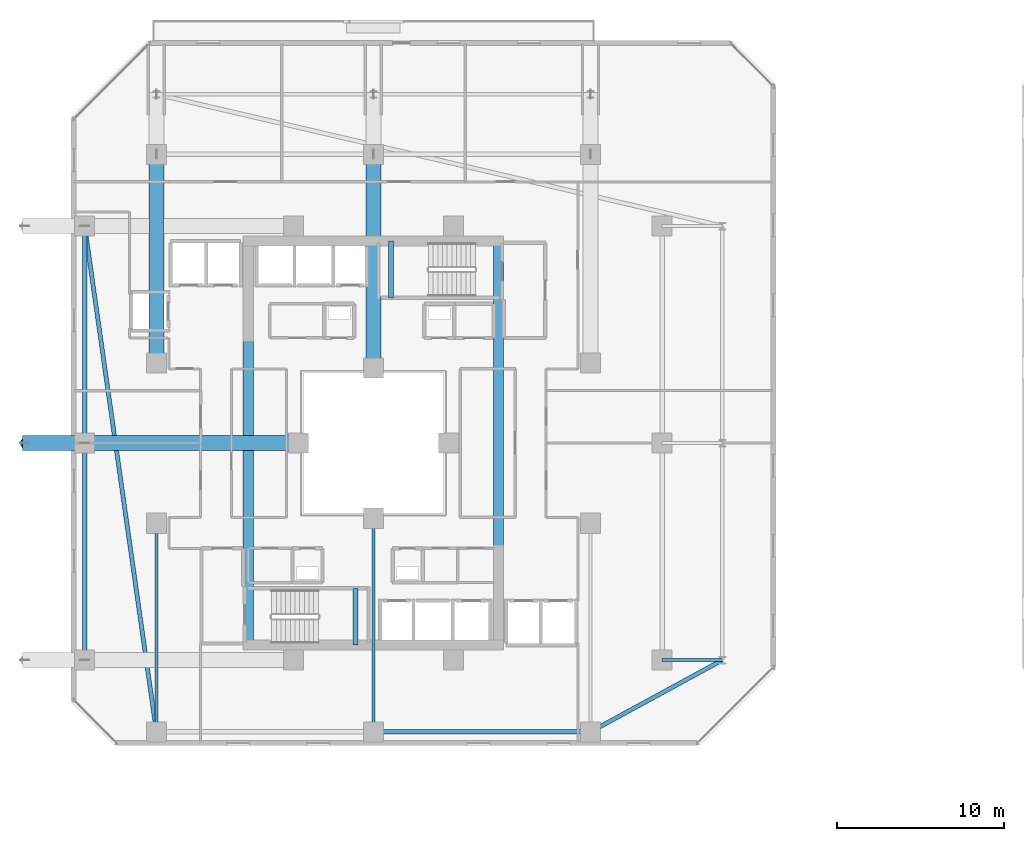
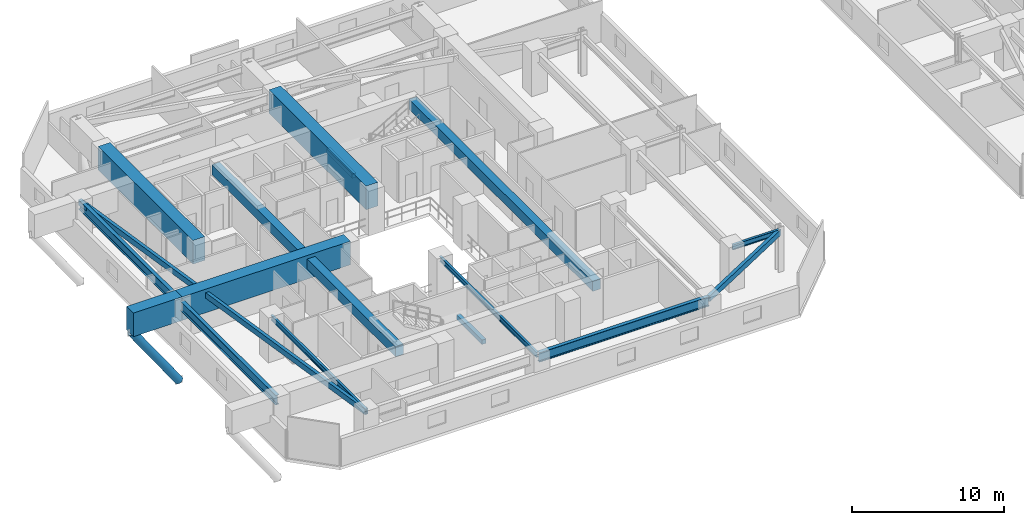
# One storey, part 4 of 36: 16 beams, 1 member.
"""IFC4 building model written with IfcOpenShell, lengths in metres."""

import ifcopenshell
import ifcopenshell.guid

model = None  # the IFC model being written
_history = None  # IfcOwnerHistory: only IFC2X3 demands one
_inside = {}  # id of a spatial element -> (the spatial element, [elements in it])
_under = {}  # id of a project, library or spatial element -> (it, [spatial elements below it])
_declared = {}  # id of a project -> (the project, [libraries it declares])
_typed = {}  # id of a type object -> (the type object, [elements of that type])
_made_of = {}  # id of a material, layer set ... -> (it, [elements and type objects made of it])


def new_model(schema):
    """Start an empty IFC model of exactly this schema.

    Asked for "IFC4X3", IfcOpenShell would pick the latest addendum, in which some entities
    have other attributes; the version numbers below select the first issue.
    IFC2X3 requires an IfcOwnerHistory on every rooted entity: one is made here for all.
    """
    global model, _history
    if schema == "IFC4X3":
        model = ifcopenshell.file(schema_version=(4, 3, 0, 0))
    else:
        model = ifcopenshell.file(schema=schema)
    _inside.clear()
    _under.clear()
    _declared.clear()
    _typed.clear()
    _made_of.clear()
    _history = None
    if model.schema == "IFC2X3":
        org = make("IfcOrganization", Name="unknown")
        user = make(
            "IfcPersonAndOrganization",
            ThePerson=make("IfcPerson", FamilyName="unknown"),
            TheOrganization=org,
        )
        app = make(
            "IfcApplication",
            ApplicationDeveloper=org,
            Version="unknown",
            ApplicationFullName="unknown",
            ApplicationIdentifier="unknown",
        )
        _history = make(
            "IfcOwnerHistory",
            OwningUser=user,
            OwningApplication=app,
            ChangeAction="ADDED",
            CreationDate=0,
        )
    return model


def make(cls, **values):
    """One entity of the class cls with the attributes given. An attribute that is None is left unset."""
    return model.create_entity(
        cls, **{name: value for name, value in values.items() if value is not None}
    )


def rooted(cls, **values):
    """An entity with a GlobalId (a new one), such as an element, a storey or a relation."""
    return make(cls, GlobalId=ifcopenshell.guid.new(), OwnerHistory=_history, **values)


def si_unit(unit_type, name, prefix=None):
    """IfcSIUnit, for example si_unit("LENGTHUNIT", "METRE", prefix="MILLI")."""
    return make("IfcSIUnit", UnitType=unit_type, Prefix=prefix, Name=name)


def assignment(units):
    """IfcUnitAssignment: the units of a project."""
    return None if units is None else make("IfcUnitAssignment", Units=units)


def point(xyz):
    """IfcCartesianPoint."""
    return None if xyz is None else make("IfcCartesianPoint", Coordinates=xyz)


def direction(xyz):
    """IfcDirection."""
    return None if xyz is None else make("IfcDirection", DirectionRatios=xyz)


def frame(location, z_axis=None, x_axis=None):
    """IfcAxis2Placement3D, a coordinate frame: its origin and axes. An axis left out is left unset."""
    return make(
        "IfcAxis2Placement3D",
        Location=point(location),
        Axis=direction(z_axis),
        RefDirection=direction(x_axis),
    )


def frame_2d(location, x_axis=None):
    """IfcAxis2Placement2D, a coordinate frame in the plane: its origin and x axis."""
    return make(
        "IfcAxis2Placement2D", Location=point(location), RefDirection=direction(x_axis)
    )


def origin():
    """The frame at (0, 0, 0) with its axes left unset."""
    return frame((0.0, 0.0, 0.0))


def origin_2d():
    """The frame at (0, 0) in the plane with its x axis left unset."""
    return frame_2d((0.0, 0.0))


def place(relative_to, where):
    """IfcLocalPlacement: puts the frame where relative to a parent placement (None: the world)."""
    return make(
        "IfcLocalPlacement", PlacementRelTo=relative_to, RelativePlacement=where
    )


def context(
    kind, dimensions, precision=None, world=None, true_north=None, identifier=None
):
    """IfcGeometricRepresentationContext, for example the 3D "Model" context."""
    return make(
        "IfcGeometricRepresentationContext",
        ContextIdentifier=identifier,
        ContextType=kind,
        CoordinateSpaceDimension=dimensions,
        Precision=precision,
        WorldCoordinateSystem=world,
        TrueNorth=true_north,
    )


def subcontext(parent, identifier, kind, view, scale=None):
    """IfcGeometricRepresentationSubContext, for example "Body" below "Model"."""
    return make(
        "IfcGeometricRepresentationSubContext",
        ContextIdentifier=identifier,
        ContextType=kind,
        ParentContext=parent,
        TargetScale=scale,
        TargetView=view,
    )


def project(units=None, contexts=None):
    """IfcProject with its units and contexts."""
    return rooted(
        "IfcProject",
        Name="project",
        RepresentationContexts=contexts,
        UnitsInContext=assignment(units),
    )


def spatial(cls, under=None, at=None, **own):
    """A site, building, storey or space (cls), placed at a placement, below another one or the project."""
    s = rooted(cls, ObjectPlacement=at, **own)
    if under is not None:
        _under.setdefault(under.id(), (under, []))[1].append(s)
    return s


def profile(cls, at=None, kind="AREA", **sizes):
    """A parametric profile (cls). Its sizes go by their IFC names, for example OverallWidth=200.0."""
    return make(cls, ProfileType=kind, Position=at, **sizes)


def rectangle(**sizes):
    """IfcRectangleProfileDef."""
    return profile("IfcRectangleProfileDef", **sizes)


def hollow_rectangle(**sizes):
    """IfcRectangleHollowProfileDef."""
    return profile("IfcRectangleHollowProfileDef", **sizes)


def hollow_circle(**sizes):
    """IfcCircleHollowProfileDef."""
    return profile("IfcCircleHollowProfileDef", **sizes)


def i_section(**sizes):
    """IfcIShapeProfileDef."""
    return profile("IfcIShapeProfileDef", **sizes)


def extrude(swept, where, along, depth):
    """IfcExtrudedAreaSolid: the profile swept, set in the frame where, extruded along a direction by depth."""
    return make(
        "IfcExtrudedAreaSolid",
        SweptArea=swept,
        Position=where,
        ExtrudedDirection=direction(along),
        Depth=depth,
    )


def shape(context_of_items, identifier, shape_type, items):
    """IfcShapeRepresentation: the items that make up one representation, for example the "Body"."""
    return make(
        "IfcShapeRepresentation",
        ContextOfItems=context_of_items,
        RepresentationIdentifier=identifier,
        RepresentationType=shape_type,
        Items=items,
    )


def material(Name=None, Category=None):
    """IfcMaterial."""
    return make("IfcMaterial", Name=Name, Category=Category)


def material_profile(
    of_material, cross_section, Name=None, Category=None, Priority=None
):
    """IfcMaterialProfile: a cross section and its material."""
    return make(
        "IfcMaterialProfile",
        Name=Name,
        Material=of_material,
        Profile=cross_section,
        Priority=Priority,
        Category=Category,
    )


def profile_set(profiles, Name=None, composite=None):
    """IfcMaterialProfileSet."""
    return make(
        "IfcMaterialProfileSet",
        Name=Name,
        MaterialProfiles=profiles,
        CompositeProfile=composite,
    )


def made_of(thing, what):
    """Note that an element or type object is made of a material, layer set ...; save() writes the relation."""
    if what is not None:
        _made_of.setdefault(what.id(), (what, []))[1].append(thing)
    return thing


def type_object(cls, material=None, **own):
    """A type object (cls), such as IfcWallType, which elements share."""
    return made_of(rooted(cls, **own), material)


def element(
    cls,
    number,
    at=None,
    inside=None,
    cuts=None,
    type_object=None,
    material=None,
    context=None,
    identifier="Body",
    shape_type=None,
    held_by="IfcProductDefinitionShape",
    body=None,
    shapes=None,
    **own,
):
    """One element of the class cls, such as IfcWall. Its Tag is "e" and its number.

    at: its placement. inside: the storey or other place that contains it. cuts: it is an
    opening in that element (IfcRelVoidsElement). A single representation is given by context,
    identifier, shape_type and body (its items); several are given by shapes. held_by: the class
    of the entity that holds the representations. save() writes the other relations.
    """
    e = rooted(cls, Tag="e%d" % number, ObjectPlacement=at, **own)
    if body is not None:
        shapes = [shape(context, identifier, shape_type, body)]
    if shapes is not None:
        e.Representation = make(held_by, Representations=shapes)
    if inside is not None:
        _inside.setdefault(inside.id(), (inside, []))[1].append(e)
    if cuts is not None:
        rooted(
            "IfcRelVoidsElement", RelatingBuildingElement=cuts, RelatedOpeningElement=e
        )
    if type_object is not None:
        _typed.setdefault(type_object.id(), (type_object, []))[1].append(e)
    return made_of(e, material)


def aggregate(whole, parts):
    """IfcRelAggregates: a whole, such as a stair, and the parts it consists of."""
    return rooted("IfcRelAggregates", RelatingObject=whole, RelatedObjects=parts)


def save(model, path):
    """Write the relations noted so far, then the file.

    IfcRelAggregates (storeys below a building ...), IfcRelContainedInSpatialStructure (elements
    in a storey), IfcRelDefinesByType, IfcRelAssociatesMaterial and IfcRelDeclares: one each for
    every whole, place, type object, material and project.
    """
    for whole, parts in _under.values():
        aggregate(whole, parts)
    for where, things in _inside.values():
        rooted(
            "IfcRelContainedInSpatialStructure",
            RelatedElements=things,
            RelatingStructure=where,
        )
    for kind, things in _typed.values():
        rooted("IfcRelDefinesByType", RelatedObjects=things, RelatingType=kind)
    for what, things in _made_of.values():
        rooted("IfcRelAssociatesMaterial", RelatedObjects=things, RelatingMaterial=what)
    for by, libraries in _declared.values():
        rooted("IfcRelDeclares", RelatingContext=by, RelatedDefinitions=libraries)
    model.write(path)


model = new_model("IFC4")

# Units and contexts
model_context = context("Model", 3, precision=1e-05, world=origin(), true_north=direction((0.0, 1.0)))
body_context = subcontext(model_context, "Body", "Model", "MODEL_VIEW")
ifc_project = project(units=[si_unit("LENGTHUNIT", "METRE"), si_unit("AREAUNIT", "SQUARE_METRE"), si_unit("VOLUMEUNIT", "CUBIC_METRE"), si_unit("PLANEANGLEUNIT", "RADIAN"), si_unit("MASSUNIT", "GRAM", prefix="KILO")], contexts=[model_context])

# Site, building, storey
site_placement = place(None, origin())
site = spatial("IfcSite", under=ifc_project, at=site_placement, CompositionType="ELEMENT")
building_placement = place(site_placement, origin())
building = spatial("IfcBuilding", under=site, at=building_placement, Name="Thornwick Lancets Civic Towers", CompositionType="ELEMENT")
storey_placement = place(building_placement, frame((0.0, 0.0, 94.5)))
storey = spatial("IfcBuildingStorey", under=building, at=storey_placement, Name="L24", CompositionType="ELEMENT", Elevation=94.5)

# Beams
ifc_material_1 = material(Name="Concrete C60/75", Category="concrete")
ifc_material_profile_1 = material_profile(ifc_material_1, rectangle(XDim=0.60009765625, YDim=0.800048828125, at=origin_2d()), Name="RC 600x800")
ifc_profile_set_1 = profile_set([ifc_material_profile_1], Name="Concrete C60/75")
beam_type_1 = type_object("IfcBeamType", Name="BM_COUP_RC800", PredefinedType="BEAM", material=ifc_profile_set_1)
for number, where, z_axis, x_axis, name in (
    (1, (33.0, 14.89990234375, 2.919921875), (0.0, 1.0, 0.0), (-1.0, 0.0, 0.0), "CB-L24-A1"),
    (2, (18.0, 14.89990234375, 2.919921875), (0.0, 1.0, 0.0), (-1.0, 0.0, 0.0), "CB-L24-A2"),
):
    element("IfcBeam", number, at=place(storey_placement, frame(where, z_axis=z_axis, x_axis=x_axis)), inside=storey, type_object=beam_type_1, Name=name, PredefinedType="BEAM", context=body_context, shape_type="SweptSolid", body=[
        extrude(rectangle(XDim=0.60009765625, YDim=0.800048828125, at=origin_2d()), origin(), (0.0, 0.0, 1.0), 24.2001953125),
    ])
ifc_material_2 = material(Name="Steel S355JR", Category="steel")
ifc_material_profile_2 = material_profile(ifc_material_2, i_section(OverallWidth=0.26806640625, OverallDepth=0.769775390625, WebThickness=0.015625, FlangeThickness=0.025390625, FilletRadius=0.0166015625, at=origin_2d()), Name="UKB 762x267x197")
ifc_profile_set_2 = profile_set([ifc_material_profile_2], Name="Steel S355JR")
beam_type_2 = type_object("IfcBeamType", Name="BM_GIRD_762_197", PredefinedType="BEAM", material=ifc_profile_set_2)
beam_1_placement = place(storey_placement, frame((25.580078125, 9.699951171875, 2.93505859375), z_axis=(1.0, 0.0, 0.0), x_axis=(0.0, 1.0, 0.0)))
element("IfcBeam", 3, at=beam_1_placement, inside=storey, type_object=beam_type_2, Name="BM-SPINE-L24-A-1-2", PredefinedType="BEAM", context=body_context, shape_type="SweptSolid", body=[
    extrude(i_section(OverallWidth=0.26806640625, OverallDepth=0.769775390625, WebThickness=0.015625, FlangeThickness=0.025390625, FilletRadius=0.0166015625, at=origin_2d()), origin(), (0.0, 0.0, 1.0), 12.919921875),
])
beam_2_placement = place(storey_placement, frame((8.199951171875, 14.0, 2.93505859375), z_axis=(0.0, 1.0, 0.0), x_axis=(-1.0, 0.0, 0.0)))
element("IfcBeam", 4, at=beam_2_placement, inside=storey, type_object=beam_type_2, Name="BM-SPINE-L24-A-9-10", PredefinedType="BEAM", context=body_context, shape_type="SweptSolid", body=[
    extrude(i_section(OverallWidth=0.26806640625, OverallDepth=0.769775390625, WebThickness=0.015625, FlangeThickness=0.025390625, FilletRadius=0.0166015625, at=origin_2d()), origin(), (0.0, 0.0, 1.0), 13.0),
])
beam_3_placement = place(storey_placement, frame((8.199951171875, 27.080078125, 2.93505859375), z_axis=(0.0, 1.0, 0.0), x_axis=(-1.0, 0.0, 0.0)))
element("IfcBeam", 5, at=beam_3_placement, inside=storey, type_object=beam_type_2, Name="BM-SPINE-L24-A-10-11", PredefinedType="BEAM", context=body_context, shape_type="SweptSolid", body=[
    extrude(i_section(OverallWidth=0.26806640625, OverallDepth=0.769775390625, WebThickness=0.015625, FlangeThickness=0.025390625, FilletRadius=0.0166015625, at=origin_2d()), origin(), (0.0, 0.0, 1.0), 12.919921875),
])
ifc_material_profile_3 = material_profile(ifc_material_2, i_section(OverallWidth=0.179443359375, OverallDepth=0.412841796875, WebThickness=0.009521484375, FlangeThickness=0.01611328125, FilletRadius=0.01025390625, at=origin_2d()), Name="UKB 406x178x74")
ifc_profile_set_3 = profile_set([ifc_material_profile_3], Name="Steel S355JR")
beam_type_3 = type_object("IfcBeamType", Name="BM_JOIST_406_74", PredefinedType="JOIST", material=ifc_profile_set_3)
beam_4_placement = place(storey_placement, frame((12.5, 22.199951171875, 3.113525390625), z_axis=(0.0, -1.0, 0.0), x_axis=(1.0, 0.0, 0.0)))
element("IfcBeam", 6, at=beam_4_placement, inside=storey, type_object=beam_type_3, Name="BM-RADIN-L24-A01", PredefinedType="JOIST", context=body_context, shape_type="SweptSolid", body=[
    extrude(i_section(OverallWidth=0.179443359375, OverallDepth=0.412841796875, WebThickness=0.009521484375, FlangeThickness=0.01611328125, FilletRadius=0.01025390625, at=origin_2d()), origin(), (0.0, 0.0, 1.0), 12.5),
])
beam_5_placement = place(storey_placement, frame((25.5, 22.5, 3.113525390625), z_axis=(0.0, -1.0, 0.0), x_axis=(1.0, 0.0, 0.0)))
element("IfcBeam", 7, at=beam_5_placement, inside=storey, type_object=beam_type_3, Name="BM-RADIN-L24-A02", PredefinedType="JOIST", context=body_context, shape_type="SweptSolid", body=[
    extrude(i_section(OverallWidth=0.179443359375, OverallDepth=0.412841796875, WebThickness=0.009521484375, FlangeThickness=0.01611328125, FilletRadius=0.01025390625, at=origin_2d()), origin(), (0.0, 0.0, 1.0), 12.800048828125),
])
beam_6_placement = place(storey_placement, frame((42.800048828125, 14.0, 3.113525390625), z_axis=(1.0, 0.0, 0.0), x_axis=(0.0, 1.0, 0.0)))
element("IfcBeam", 8, at=beam_6_placement, inside=storey, type_object=beam_type_3, Name="BM-RAD-L24-A04", PredefinedType="JOIST", context=body_context, shape_type="SweptSolid", body=[
    extrude(i_section(OverallWidth=0.179443359375, OverallDepth=0.412841796875, WebThickness=0.009521484375, FlangeThickness=0.01611328125, FilletRadius=0.01025390625, at=origin_2d()), origin(), (0.0, 0.0, 1.0), 3.599853515625),
])
ifc_material_profile_4 = material_profile(ifc_material_2, hollow_rectangle(XDim=0.25, YDim=0.449951171875, WallThickness=0.01611328125, at=origin_2d()), Name="RHS 450x250x16")
ifc_profile_set_4 = profile_set([ifc_material_profile_4], Name="Steel S355JR")
beam_type_4 = type_object("IfcBeamType", Name="BM_RING_RHS450", PredefinedType="BEAM", material=ifc_profile_set_4)
beam_7_placement = place(storey_placement, frame((38.5, 9.699951171875, 3.094970703125), z_axis=(0.878315357038, 0.478081722712, 0.0), x_axis=(-0.478081722712, 0.878315357038, 0.0)))
element("IfcBeam", 9, at=beam_7_placement, inside=storey, type_object=beam_type_4, Name="BM-CHAMF-L24-A-C0", PredefinedType="BEAM", context=body_context, shape_type="SweptSolid", body=[
    extrude(hollow_rectangle(XDim=0.25, YDim=0.449951171875, WallThickness=0.01611328125, at=origin_2d()), origin(), (0.0, 0.0, 1.0), 8.994384765625),
])
beam_8_placement = place(storey_placement, frame((8.199951171875, 40.0, 3.094970703125), z_axis=(0.140507712682, -0.990079584012, 0.0), x_axis=(0.990079584012, 0.140507712682, 0.0)))
element("IfcBeam", 10, at=beam_8_placement, inside=storey, type_object=beam_type_4, Name="BM-CHAMF-L24-A-C3", PredefinedType="BEAM", context=body_context, shape_type="SweptSolid", body=[
    extrude(hollow_rectangle(XDim=0.25, YDim=0.449951171875, WallThickness=0.01611328125, at=origin_2d()), origin(), (0.0, 0.0, 1.0), 30.603759765625),
])
ifc_material_3 = material(Name="Concrete C40/50", Category="concrete")
ifc_material_profile_5 = material_profile(ifc_material_3, rectangle(XDim=0.300048828125, YDim=0.35009765625, at=origin_2d()), Name="RC 300x350")
ifc_profile_set_5 = profile_set([ifc_material_profile_5], Name="Concrete C40/50")
beam_type_5 = type_object("IfcBeamType", Name="BM_STAIR_LDG", PredefinedType="BEAM", material=ifc_profile_set_5)
for number, where, z_axis, x_axis, name in (
    (11, (24.43505859375, 14.89990234375, 1.3779296875), (0.0, 1.0, 0.0), (-1.0, 0.0, 0.0), "L24 ST-A1 Landing Support Beam 1"),
    (12, (26.56494140625, 39.10009765625, 1.3779296875), (0.0, -1.0, 0.0), (1.0, 0.0, 0.0), "L24 ST-A2 Landing Support Beam 1"),
):
    element("IfcBeam", number, at=place(storey_placement, frame(where, z_axis=z_axis, x_axis=x_axis)), inside=storey, type_object=beam_type_5, Name=name, PredefinedType="BEAM", context=body_context, shape_type="SweptSolid", body=[
        extrude(rectangle(XDim=0.300048828125, YDim=0.35009765625, at=origin_2d()), origin(), (0.0, 0.0, 1.0), 3.400146484375),
    ])
ifc_material_profile_6 = material_profile(ifc_material_1, rectangle(XDim=0.89990234375, YDim=1.89990234375, at=origin_2d()), Name="RC 900x1900")
ifc_profile_set_6 = profile_set([ifc_material_profile_6], Name="Concrete C60/75")
beam_type_6 = type_object("IfcBeamType", Name="BM_TR_RC1900", PredefinedType="BEAM", material=ifc_profile_set_6)
beam_9_placement = place(storey_placement, frame((12.5, 31.800048828125, 2.64990234375), z_axis=(0.0, 1.0, 0.0), x_axis=(-1.0, 0.0, 0.0)))
element("IfcBeam", 13, at=beam_9_placement, inside=storey, type_object=beam_type_6, Name="TG-BACK-L25-A07", PredefinedType="BEAM", context=body_context, shape_type="SweptSolid", body=[
    extrude(rectangle(XDim=0.89990234375, YDim=1.89990234375, at=origin_2d()), origin(), (0.0, 0.0, 1.0), 12.5),
])
for number, where, z_axis, x_axis, name in (
    (14, (25.5, 31.5, 2.64990234375), (0.0, 1.0, 0.0), (-1.0, 0.0, 0.0), "TG-BACK-L25-A08"),
    (15, (21.0, 27.0, 2.64990234375), (-1.0, 0.0, 0.0), (0.0, -1.0, 0.0), "TG-BACK-L25-A11"),
):
    element("IfcBeam", number, at=place(storey_placement, frame(where, z_axis=z_axis, x_axis=x_axis)), inside=storey, type_object=beam_type_6, Name=name, PredefinedType="BEAM", context=body_context, shape_type="SweptSolid", body=[
        extrude(rectangle(XDim=0.89990234375, YDim=1.89990234375, at=origin_2d()), origin(), (0.0, 0.0, 1.0), 12.800048828125),
    ])
beam_10_placement = place(storey_placement, frame((8.199951171875, 27.0, 2.64990234375), z_axis=(-1.0, 0.0, 0.0), x_axis=(0.0, -1.0, 0.0)))
element("IfcBeam", 16, at=beam_10_placement, inside=storey, type_object=beam_type_6, Name="TG-CANT-L25-A11", PredefinedType="BEAM", context=body_context, shape_type="SweptSolid", body=[
    extrude(rectangle(XDim=0.89990234375, YDim=1.89990234375, at=origin_2d()), origin(), (0.0, 0.0, 1.0), 3.719970703125),
])

# Member
ifc_material_4 = material(Name="Steel S460M", Category="steel")
ifc_material_profile_7 = material_profile(ifc_material_4, hollow_circle(Radius=0.304931640625, WallThickness=0.030029296875, at=origin_2d()), Name="CHS 610x30")
ifc_profile_set_7 = profile_set([ifc_material_profile_7], Name="Steel S460M")
member_type = type_object("IfcMemberType", Name="MEM_STRUT_CHS610", PredefinedType="STRUT", material=ifc_profile_set_7)
member_placement = place(storey_placement, frame((8.199951171875, 27.0, -3.35009765625), z_axis=(-0.574400563042, 0.0, 0.818574366308), x_axis=(0.0, -1.0, 0.0)))
element("IfcMember", 17, at=member_placement, inside=storey, type_object=member_type, Name="L25 Jenga Transfer Raking Strut A11", PredefinedType="STRUT", context=body_context, shape_type="SweptSolid", body=[
    extrude(hollow_circle(Radius=0.304931640625, WallThickness=0.030029296875, at=origin_2d()), origin(), (0.0, 0.0, 1.0), 6.26708984375),
])

save(model, "model.ifc")
